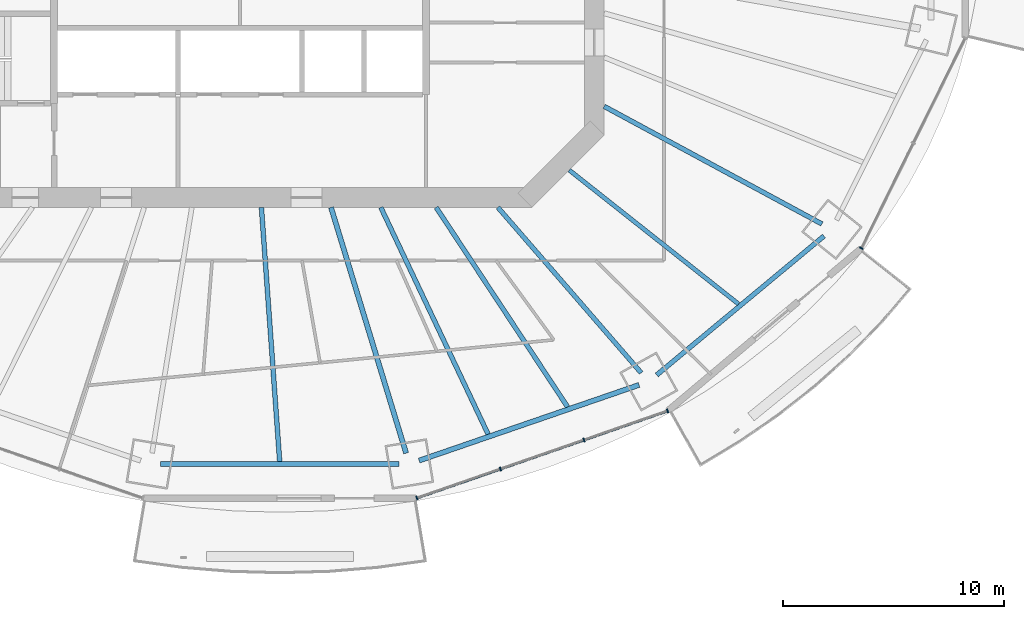
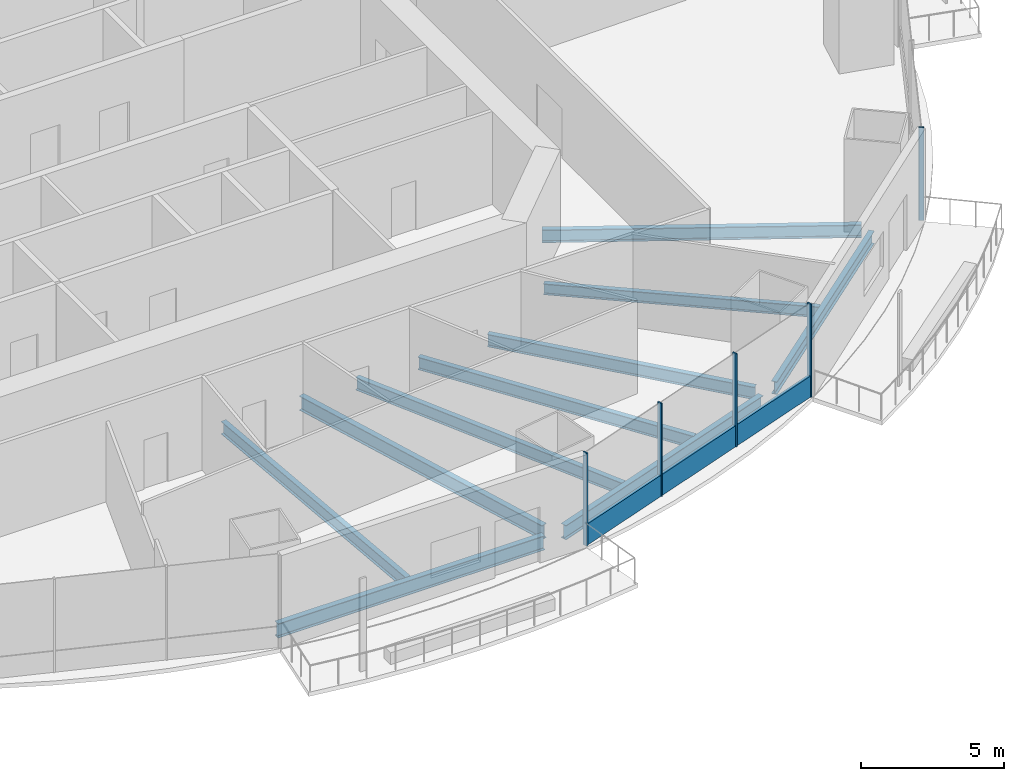
# One storey, part 4 of 21: 10 beams, 6 members, 2 elements without a shape of their own.
"""IFC4 building model written with IfcOpenShell, lengths in metres."""

from ifc_helpers import new_model, si_unit, direction, frame, origin, origin_2d, place, context, subcontext, project, spatial, rectangle, i_section, extrude, material, material_profile, profile_set, type_object, element, aggregate, save


model = new_model("IFC4")

# Units and contexts
model_context = context("Model", 3, precision=1e-05, world=origin(), true_north=direction((0.0, 1.0)))
body_context = subcontext(model_context, "Body", "Model", "MODEL_VIEW")
ifc_project = project(units=[si_unit("LENGTHUNIT", "METRE"), si_unit("AREAUNIT", "SQUARE_METRE"), si_unit("VOLUMEUNIT", "CUBIC_METRE"), si_unit("PLANEANGLEUNIT", "RADIAN"), si_unit("MASSUNIT", "GRAM", prefix="KILO")], contexts=[model_context])

# Site, building, storey
site_placement = place(None, origin())
site = spatial("IfcSite", under=ifc_project, at=site_placement, CompositionType="ELEMENT")
building_placement = place(site_placement, origin())
building = spatial("IfcBuilding", under=site, at=building_placement, Name="Marenthal Gate Tower", CompositionType="ELEMENT")
storey_placement = place(building_placement, frame((0.0, 0.0, 202.550048828125)))
storey = spatial("IfcBuildingStorey", under=building, at=storey_placement, Name="L44", CompositionType="ELEMENT", Elevation=202.550048828125)

# Curtain wall, members
ifc_material_1 = material(Name="Aluminium and glass", Category="aluminium")
curtain_wall_type = type_object("IfcCurtainWallType", Name="Curtain wall typical mid", PredefinedType="NOTDEFINED", material=ifc_material_1)
curtain_wall_1_placement = place(storey_placement, origin())
curtain_wall_1 = element("IfcCurtainWall", 1, at=curtain_wall_1_placement, inside=storey, type_object=curtain_wall_type, Name="Curtain wall L44 bay 13", PredefinedType="NOTDEFINED")
ifc_material_2 = material(Name="Aluminium", Category="aluminium")
ifc_material_profile_1 = material_profile(ifc_material_2, rectangle(XDim=0.179931640625, YDim=0.06005859375, at=origin_2d()), Name="60x180 aluminium mullion")
ifc_profile_set_1 = profile_set([ifc_material_profile_1], Name="Aluminium")
member_type_1 = type_object("IfcMemberType", Name="Mullion 60x180 typical mid", PredefinedType="MULLION", material=ifc_profile_set_1)
member_1_placement = place(storey_placement, frame((7.98779296875, -26.576171875, 0.0), z_axis=(0.0, 0.0, 1.0), x_axis=(-0.328332307555, 0.944562277362, 0.0)))
member_1 = element("IfcMember", 2, at=member_1_placement, type_object=member_type_1, Name="Mullion L44 bay 13.1", PredefinedType="MULLION", context=body_context, shape_type="SweptSolid", body=[
    extrude(rectangle(XDim=0.179931640625, YDim=0.06005859375, at=origin_2d()), origin(), (0.0, 0.0, 1.0), 3.969970703125),
])
member_2_placement = place(storey_placement, frame((11.7626953125, -25.263916015625, 0.0), z_axis=(0.0, 0.0, 1.0), x_axis=(-0.328332307555, 0.944562277362, 0.0)))
member_2 = element("IfcMember", 3, at=member_2_placement, type_object=member_type_1, Name="Mullion L44 bay 13.2", PredefinedType="MULLION", context=body_context, shape_type="SweptSolid", body=[
    extrude(rectangle(XDim=0.179931640625, YDim=0.06005859375, at=origin_2d()), origin(), (0.0, 0.0, 1.0), 3.969970703125),
])
member_3_placement = place(storey_placement, frame((15.537353515625, -23.951904296875, 0.0), z_axis=(0.0, 0.0, 1.0), x_axis=(-0.328332307555, 0.944562277362, 0.0)))
member_3 = element("IfcMember", 4, at=member_3_placement, type_object=member_type_1, Name="Mullion L44 bay 13.3", PredefinedType="MULLION", context=body_context, shape_type="SweptSolid", body=[
    extrude(rectangle(XDim=0.179931640625, YDim=0.06005859375, at=origin_2d()), origin(), (0.0, 0.0, 1.0), 3.969970703125),
])
member_4_placement = place(storey_placement, frame((19.312255859375, -22.6396484375, 0.0), z_axis=(0.0, 0.0, 1.0), x_axis=(-0.328332307555, 0.944562277362, 0.0)))
member_4 = element("IfcMember", 5, at=member_4_placement, type_object=member_type_1, Name="Mullion L44 bay 13.4", PredefinedType="MULLION", context=body_context, shape_type="SweptSolid", body=[
    extrude(rectangle(XDim=0.179931640625, YDim=0.06005859375, at=origin_2d()), origin(), (0.0, 0.0, 1.0), 3.969970703125),
])

# Curtain wall, member
curtain_wall_2_placement = place(storey_placement, origin())
curtain_wall_2 = element("IfcCurtainWall", 6, at=curtain_wall_2_placement, inside=storey, type_object=curtain_wall_type, Name="Curtain wall L44 bay 15", PredefinedType="NOTDEFINED")
member_5_placement = place(storey_placement, frame((28.064453125, -15.29296875, 0.0), z_axis=(0.0, 0.0, 1.0), x_axis=(-0.896715617309, 0.442607164057, 0.0)))
member_5 = element("IfcMember", 7, at=member_5_placement, type_object=member_type_1, Name="Mullion L44 bay 15.1", PredefinedType="MULLION", context=body_context, shape_type="SweptSolid", body=[
    extrude(rectangle(XDim=0.179931640625, YDim=0.06005859375, at=origin_2d()), origin(), (0.0, 0.0, 1.0), 3.969970703125),
])
aggregate(curtain_wall_2, [member_5])

# Member
ifc_material_3 = material(Name="Aluminium", Category="aluminium")
ifc_material_profile_2 = material_profile(ifc_material_3, rectangle(XDim=0.1201171875, YDim=0.89990234375, at=origin_2d()), Name="120x900 aluminium transom")
ifc_profile_set_2 = profile_set([ifc_material_profile_2], Name="Aluminium")
member_type_2 = type_object("IfcMemberType", Name="Transom 120x900 typical mid", PredefinedType="USERDEFINED", material=ifc_profile_set_2)
member_6_placement = place(storey_placement, frame((8.01611328125, -26.566162109375, 0.449951171875), z_axis=(0.944561661675, 0.328334078787, 0.0), x_axis=(-0.328334078787, 0.944561661675, 0.0)))
member_6 = element("IfcMember", 8, at=member_6_placement, type_object=member_type_2, Name="Transom L44 bay 13", ObjectType="TRANSOM", PredefinedType="USERDEFINED", context=body_context, shape_type="SweptSolid", body=[
    extrude(rectangle(XDim=0.1201171875, YDim=0.89990234375, at=origin_2d()), origin(), (0.0, 0.0, 1.0), 11.92919921875),
])

aggregate(curtain_wall_1, [member_1, member_2, member_3, member_4, member_6])

# Beams
ifc_material_4 = material(Name="Steel S355", Category="steel")
ifc_material_profile_3 = material_profile(ifc_material_4, i_section(OverallWidth=0.193115234375, OverallDepth=0.467041015625, WebThickness=0.011474609375, FlangeThickness=0.01904296875, FilletRadius=0.010009765625, at=origin_2d()), Name="W460X97")
ifc_profile_set_3 = profile_set([ifc_material_profile_3], Name="Steel S355")
beam_type_1 = type_object("IfcBeamType", Name="W460X97 beam", PredefinedType="BEAM", material=ifc_profile_set_3)
beam_1_placement = place(storey_placement, frame((22.51513671875, -17.811767578125, -0.41357421875), z_axis=(-0.784259115823, 0.620433428539, 0.0), x_axis=(-0.620433428539, -0.784259115823, 0.0)))
element("IfcBeam", 9, at=beam_1_placement, inside=storey, type_object=beam_type_1, Name="BM-L44-37", PredefinedType="BEAM", context=body_context, shape_type="SweptSolid", body=[
    extrude(i_section(OverallWidth=0.193115234375, OverallDepth=0.467041015625, WebThickness=0.011474609375, FlangeThickness=0.01904296875, FilletRadius=0.010009765625, at=origin_2d()), origin(), (0.0, 0.0, 1.0), 9.74609375),
])
ifc_material_5 = material(Name="Steel S355", Category="steel")
ifc_material_profile_4 = material_profile(ifc_material_5, i_section(OverallWidth=0.2099609375, OverallDepth=0.535888671875, WebThickness=0.010986328125, FlangeThickness=0.017333984375, FilletRadius=0.0126953125, at=origin_2d()), Name="W530X101")
ifc_profile_set_4 = profile_set([ifc_material_profile_4], Name="Steel S355")
beam_type_2 = type_object("IfcBeamType", Name="W530X101 beam", PredefinedType="BEAM", material=ifc_profile_set_4)
beam_2_placement = place(storey_placement, frame((18.12109375, -20.921630859375, -0.447998046875), z_axis=(-0.654698248464, 0.755890338249, 0.0), x_axis=(-0.755890338249, -0.654698248464, 0.0)))
element("IfcBeam", 10, at=beam_2_placement, inside=storey, type_object=beam_type_2, Name="BM-L44-14", PredefinedType="BEAM", context=body_context, shape_type="SweptSolid", body=[
    extrude(i_section(OverallWidth=0.2099609375, OverallDepth=0.535888671875, WebThickness=0.010986328125, FlangeThickness=0.017333984375, FilletRadius=0.0126953125, at=origin_2d()), origin(), (0.0, 0.0, 1.0), 9.884521484375),
])
beam_3_placement = place(storey_placement, frame((11.205810546875, -23.692138671875, -0.447998046875), z_axis=(-0.42755829338, 0.903987779653, 0.0), x_axis=(-0.903987779653, -0.42755829338, 0.0)))
element("IfcBeam", 11, at=beam_3_placement, inside=storey, type_object=beam_type_2, Name="BM-L44-35", PredefinedType="BEAM", context=body_context, shape_type="SweptSolid", body=[
    extrude(i_section(OverallWidth=0.2099609375, OverallDepth=0.535888671875, WebThickness=0.010986328125, FlangeThickness=0.017333984375, FilletRadius=0.0126953125, at=origin_2d()), origin(), (0.0, 0.0, 1.0), 11.330078125),
])
beam_4_placement = place(storey_placement, frame((14.793701171875, -22.45751953125, -0.447998046875), z_axis=(-0.550105699031, 0.835095036444, 0.0), x_axis=(-0.835095036444, -0.550105699031, 0.0)))
element("IfcBeam", 12, at=beam_4_placement, inside=storey, type_object=beam_type_2, Name="BM-L44-36", PredefinedType="BEAM", context=body_context, shape_type="SweptSolid", body=[
    extrude(i_section(OverallWidth=0.2099609375, OverallDepth=0.535888671875, WebThickness=0.010986328125, FlangeThickness=0.017333984375, FilletRadius=0.0126953125, at=origin_2d()), origin(), (0.0, 0.0, 1.0), 10.786376953125),
])
ifc_material_6 = material(Name="Steel S355", Category="steel")
ifc_material_profile_5 = material_profile(ifc_material_6, i_section(OverallWidth=0.2119140625, OverallDepth=0.5439453125, WebThickness=0.01318359375, FlangeThickness=0.021240234375, FilletRadius=0.0126953125, at=origin_2d()), Name="W530X123")
ifc_profile_set_5 = profile_set([ifc_material_profile_5], Name="Steel S355")
beam_type_3 = type_object("IfcBeamType", Name="W530X123 beam", PredefinedType="BEAM", material=ifc_profile_set_5)
beam_5_placement = place(storey_placement, frame((26.28271484375, -14.1962890625, -0.4521484375), z_axis=(-0.879855158012, 0.475241939352, 0.0), x_axis=(-0.475241939352, -0.879855158012, 0.0)))
element("IfcBeam", 13, at=beam_5_placement, inside=storey, type_object=beam_type_3, Name="BM-L44-15", PredefinedType="BEAM", context=body_context, shape_type="SweptSolid", body=[
    extrude(i_section(OverallWidth=0.2119140625, OverallDepth=0.5439453125, WebThickness=0.01318359375, FlangeThickness=0.021240234375, FilletRadius=0.0126953125, at=origin_2d()), origin(), (0.0, 0.0, 1.0), 11.175537109375),
])
beam_6_placement = place(storey_placement, frame((1.791748046875, -24.921875, -0.4521484375), z_axis=(-0.071704119012, 0.997425946783, 0.0), x_axis=(-0.997425946783, -0.071704119012, 0.0)))
element("IfcBeam", 14, at=beam_6_placement, inside=storey, type_object=beam_type_3, Name="BM-L44-34", PredefinedType="BEAM", context=body_context, shape_type="SweptSolid", body=[
    extrude(i_section(OverallWidth=0.2119140625, OverallDepth=0.5439453125, WebThickness=0.01318359375, FlangeThickness=0.021240234375, FilletRadius=0.0126953125, at=origin_2d()), origin(), (0.0, 0.0, 1.0), 11.50146484375),
])
beam_7_placement = place(storey_placement, frame((18.82177734375, -21.017822265625, -0.4521484375), z_axis=(0.769206538699, 0.639000235386, 0.0), x_axis=(-0.639000235386, 0.769206538699, 0.0)))
element("IfcBeam", 15, at=beam_7_placement, inside=storey, type_object=beam_type_3, Name="BM-L44-54", PredefinedType="BEAM", context=body_context, shape_type="SweptSolid", body=[
    extrude(i_section(OverallWidth=0.2119140625, OverallDepth=0.5439453125, WebThickness=0.01318359375, FlangeThickness=0.021240234375, FilletRadius=0.0126953125, at=origin_2d()), origin(), (0.0, 0.0, 1.0), 9.8212890625),
])
ifc_material_7 = material(Name="Steel S355", Category="steel")
ifc_material_profile_6 = material_profile(ifc_material_7, i_section(OverallWidth=0.22900390625, OverallDepth=0.612060546875, WebThickness=0.011962890625, FlangeThickness=0.01953125, FilletRadius=0.0126953125, at=origin_2d()), Name="W610X125")
ifc_profile_set_6 = profile_set([ifc_material_profile_6], Name="Steel S355")
beam_type_4 = type_object("IfcBeamType", Name="W610X125 beam", PredefinedType="BEAM", material=ifc_profile_set_6)
beam_8_placement = place(storey_placement, frame((7.50244140625, -24.5498046875, -0.486083984375), z_axis=(-0.292255409106, 0.956340303369, 0.0), x_axis=(-0.956340303369, -0.292255409106, 0.0)))
element("IfcBeam", 16, at=beam_8_placement, inside=storey, type_object=beam_type_4, Name="BM-L44-13", PredefinedType="BEAM", context=body_context, shape_type="SweptSolid", body=[
    extrude(i_section(OverallWidth=0.22900390625, OverallDepth=0.612060546875, WebThickness=0.011962890625, FlangeThickness=0.01953125, FilletRadius=0.0126953125, at=origin_2d()), origin(), (0.0, 0.0, 1.0), 11.606689453125),
])
beam_9_placement = place(storey_placement, frame((-3.588134765625, -25.036376953125, -0.486083984375), z_axis=(1.0, 0.0, 0.0), x_axis=(0.0, 1.0, 0.0)))
element("IfcBeam", 17, at=beam_9_placement, inside=storey, type_object=beam_type_4, Name="BM-L44-52", PredefinedType="BEAM", context=body_context, shape_type="SweptSolid", body=[
    extrude(i_section(OverallWidth=0.22900390625, OverallDepth=0.612060546875, WebThickness=0.011962890625, FlangeThickness=0.01953125, FilletRadius=0.0126953125, at=origin_2d()), origin(), (0.0, 0.0, 1.0), 10.7763671875),
])
beam_10_placement = place(storey_placement, frame((8.08935546875, -24.885498046875, -0.486083984375), z_axis=(0.945585416751, 0.325373968884, 0.0), x_axis=(-0.325373968884, 0.945585416751, 0.0)))
element("IfcBeam", 18, at=beam_10_placement, inside=storey, type_object=beam_type_4, Name="BM-L44-53", PredefinedType="BEAM", context=body_context, shape_type="SweptSolid", body=[
    extrude(i_section(OverallWidth=0.22900390625, OverallDepth=0.612060546875, WebThickness=0.011962890625, FlangeThickness=0.01953125, FilletRadius=0.0126953125, at=origin_2d()), origin(), (0.0, 0.0, 1.0), 10.50537109375),
])

save(model, "model.ifc")
